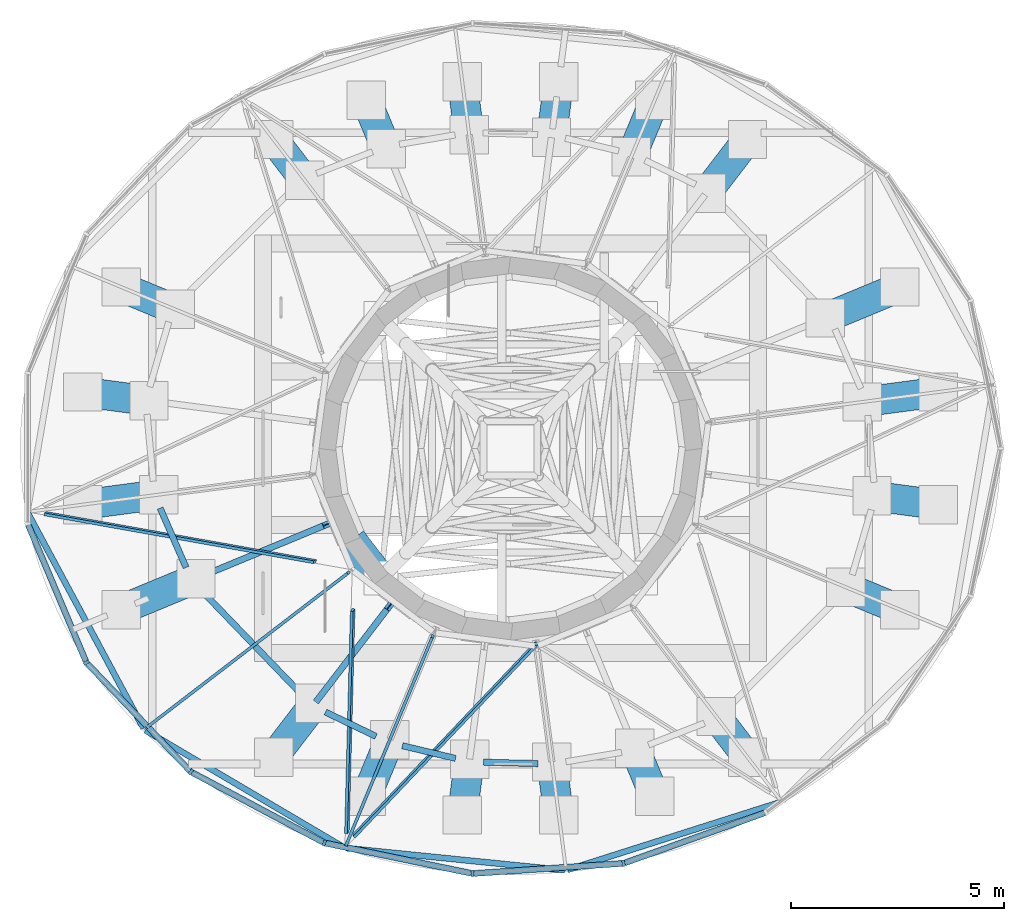
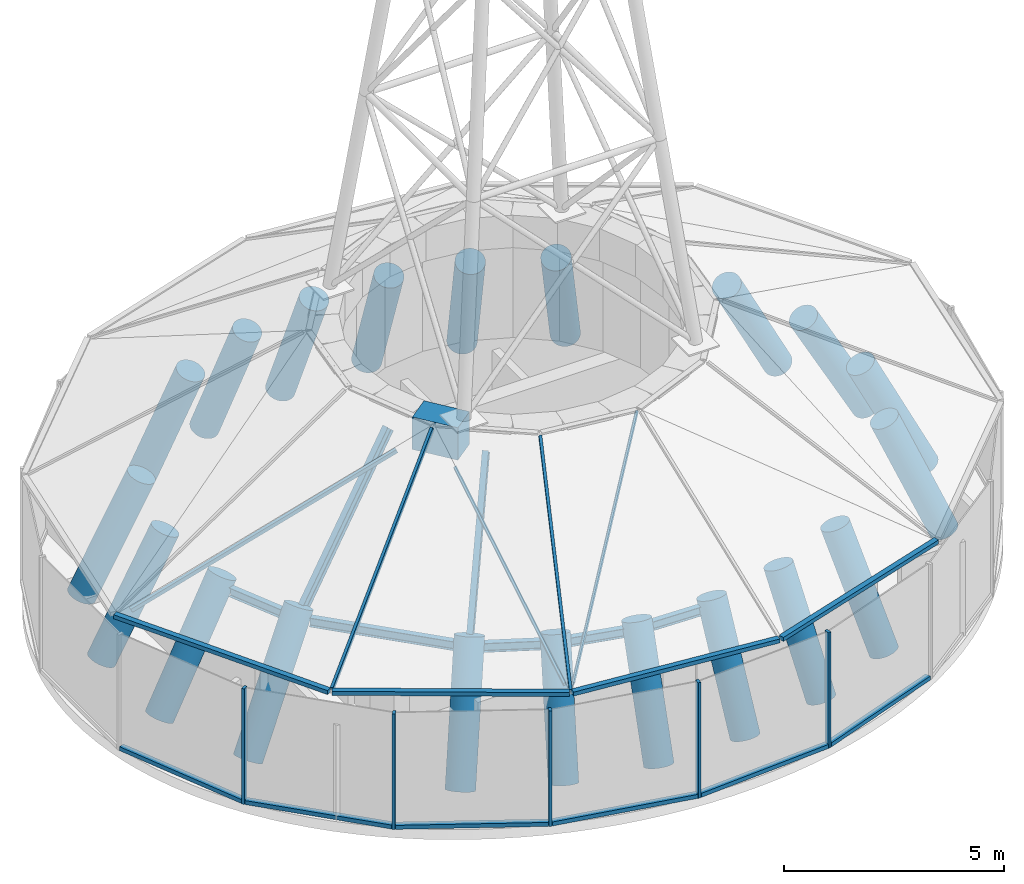
# One storey, part 1 of 10: 22 members, 20 columns, 6 beams, 8 elements without a shape of their own.
"""IFC4 building model written with IfcOpenShell, lengths in metres."""

from ifc_helpers import new_model, si_unit, direction, frame, origin, origin_2d, place, context, subcontext, project, spatial, rectangle, circle, i_section, extrude, source, transform, mapped, material, layer, layer_set, material_profile, profile_set, type_object, element, aggregate, save


model = new_model("IFC4")

# Units and contexts
model_context = context("Model", 3, precision=1e-05, world=origin(), true_north=direction((0.0, 1.0)))
body_context = subcontext(model_context, "Body", "Model", "MODEL_VIEW")
ifc_project = project(units=[si_unit("LENGTHUNIT", "METRE"), si_unit("AREAUNIT", "SQUARE_METRE"), si_unit("VOLUMEUNIT", "CUBIC_METRE"), si_unit("PLANEANGLEUNIT", "RADIAN"), si_unit("MASSUNIT", "GRAM", prefix="KILO")], contexts=[model_context])

# Site, building, storey
site_placement = place(None, origin())
site = spatial("IfcSite", under=ifc_project, at=site_placement, CompositionType="ELEMENT")
building_placement = place(site_placement, origin())
building = spatial("IfcBuilding", under=site, at=building_placement, Name="Spindrift Exchange Tower", CompositionType="ELEMENT")
storey_placement = place(building_placement, frame((0.0, 0.0, 287.10009765625)))
storey = spatial("IfcBuildingStorey", under=building, at=storey_placement, Name="L71", CompositionType="ELEMENT", Elevation=287.10009765625)

# Columns
ifc_material_1 = material(Name="Concrete 40 MPa", Category="concrete")
ifc_material_profile_1 = material_profile(ifc_material_1, circle(Radius=0.35009765625, at=origin_2d()), Name="RC D700")
ifc_profile_set_1 = profile_set([ifc_material_profile_1], Name="Concrete 40 MPa")
column_type = type_object("IfcColumnType", Name="RC Perimeter Column D700 Concrete 40 MPa", PredefinedType="COLUMN", material=ifc_profile_set_1)
shared_shape_1 = source(origin(), body_context, "Body", "SweptSolid", [
    extrude(circle(Radius=0.35009765625, at=origin_2d()), origin(), (0.0, 0.0, 1.0), 3.67041015625),
])
for number, where, z_axis, x_axis, name in (
    (1, (62.031005859375, 49.320556640625, 0.17431640625), (-0.485581289046, -0.063923783394, 0.871851226784), (0.130517750651, -0.991445972691, 0.0), "Perimeter column P6-01 L71"),
    (2, (41.968994140625, 46.679443359375, 0.17431640625), (0.485581289046, 0.063923783394, 0.871851226784), (-0.130517750651, 0.991445972691, 0.0), "Perimeter column P6-13 L71"),
):
    element("IfcColumn", number, at=place(storey_placement, frame(where, z_axis=z_axis, x_axis=x_axis)), inside=storey, type_object=column_type, Name=name, PredefinedType="COLUMN", context=body_context, shape_type="MappedRepresentation", body=[
        mapped(shared_shape_1, transform((0.0, 0.0, 0.0), scale=1.0)),
    ])
shared_shape_2 = source(origin(), body_context, "Body", "SweptSolid", [
    extrude(circle(Radius=0.35009765625, at=origin_2d()), origin(), (0.0, 0.0, 1.0), 3.720947265625),
])
for number, where, z_axis, x_axis, name in (
    (3, (61.12890625, 51.78125, 0.181396484375), (-0.471368199064, -0.19520050003, 0.860063245174), (0.38260546681, -0.923911823047, 0.0), "Perimeter column P6-02 L71"),
    (4, (42.87109375, 44.21875, 0.181396484375), (0.471368199064, 0.19520050003, 0.860063245174), (-0.38260546681, 0.923911823047, 0.0), "Perimeter column P6-14 L71"),
):
    element("IfcColumn", number, at=place(storey_placement, frame(where, z_axis=z_axis, x_axis=x_axis)), inside=storey, type_object=column_type, Name=name, PredefinedType="COLUMN", context=body_context, shape_type="MappedRepresentation", body=[
        mapped(shared_shape_2, transform((0.0, 0.0, 0.0), scale=1.0)),
    ])
shared_shape_3 = source(origin(), body_context, "Body", "SweptSolid", [
    extrude(circle(Radius=0.35009765625, at=origin_2d()), origin(), (0.0, 0.0, 1.0), 3.572998046875),
])
for number, where, z_axis, x_axis, name in (
    (5, (57.55517578125, 55.239501953125, 0.15869140625), (-0.270857062246, -0.352920465817, 0.89559119951), (0.793297249859, -0.608834520511, 0.0), "Perimeter column P6-04 L71"),
    (6, (46.44482421875, 40.760498046875, 0.15869140625), (0.270857062246, 0.352920465817, 0.89559119951), (-0.793297249859, 0.608834520511, 0.0), "Perimeter column P6-16 L71"),
):
    element("IfcColumn", number, at=place(storey_placement, frame(where, z_axis=z_axis, x_axis=x_axis)), inside=storey, type_object=column_type, Name=name, PredefinedType="COLUMN", context=body_context, shape_type="MappedRepresentation", body=[
        mapped(shared_shape_3, transform((0.0, 0.0, 0.0), scale=1.0)),
    ])
shared_shape_4 = source(origin(), body_context, "Body", "SweptSolid", [
    extrude(circle(Radius=0.35009765625, at=origin_2d()), origin(), (0.0, 0.0, 1.0), 3.505126953125),
])
for number, where, z_axis, x_axis, name in (
    (7, (55.378662109375, 56.15673828125, 0.145751953125), (-0.156165944661, -0.376971495318, 0.912964779959), (0.923862861885, -0.382723676339, 0.0), "Perimeter column P6-05 L71"),
    (8, (48.621337890625, 39.84326171875, 0.145751953125), (0.156165944661, 0.376971495318, 0.912964779959), (-0.923862861885, 0.382723676339, 0.0), "Perimeter column P6-17 L71"),
):
    element("IfcColumn", number, at=place(storey_placement, frame(where, z_axis=z_axis, x_axis=x_axis)), inside=storey, type_object=column_type, Name=name, PredefinedType="COLUMN", context=body_context, shape_type="MappedRepresentation", body=[
        mapped(shared_shape_4, transform((0.0, 0.0, 0.0), scale=1.0)),
    ])
shared_shape_5 = source(origin(), body_context, "Body", "SweptSolid", [
    extrude(circle(Radius=0.35009765625, at=origin_2d()), origin(), (0.0, 0.0, 1.0), 3.4599609375),
])
for number, where, z_axis, x_axis, name in (
    (9, (53.131591796875, 56.59619140625, 0.135986328125), (-0.049603484084, -0.377141710425, 0.924826267266), (0.991461239084, -0.130401730791, 0.0), "Perimeter column P6-06 L71"),
    (10, (50.868408203125, 39.40380859375, 0.135986328125), (0.049603484084, 0.377141710425, 0.924826267266), (-0.991461239084, 0.130401730791, 0.0), "Perimeter column P6-18 L71"),
):
    element("IfcColumn", number, at=place(storey_placement, frame(where, z_axis=z_axis, x_axis=x_axis)), inside=storey, type_object=column_type, Name=name, PredefinedType="COLUMN", context=body_context, shape_type="MappedRepresentation", body=[
        mapped(shared_shape_5, transform((0.0, 0.0, 0.0), scale=1.0)),
    ])
shared_shape_6 = source(origin(), body_context, "Body", "SweptSolid", [
    extrude(circle(Radius=0.35009765625, at=origin_2d()), origin(), (0.0, 0.0, 1.0), 3.43701171875),
])
for number, where, z_axis, x_axis, name in (
    (11, (50.868408203125, 56.59619140625, 0.130615234375), (0.047591855306, -0.361840165562, 0.931024548492), (0.991460918944, 0.130404164839, 0.0), "Perimeter column P6-07 L71"),
    (12, (53.131591796875, 39.40380859375, 0.130615234375), (-0.047591855306, 0.361840165562, 0.931024548492), (-0.991460918944, -0.130404164839, 0.0), "Perimeter column P6-19 L71"),
):
    element("IfcColumn", number, at=place(storey_placement, frame(where, z_axis=z_axis, x_axis=x_axis)), inside=storey, type_object=column_type, Name=name, PredefinedType="COLUMN", context=body_context, shape_type="MappedRepresentation", body=[
        mapped(shared_shape_6, transform((0.0, 0.0, 0.0), scale=1.0)),
    ])
shared_shape_7 = source(origin(), body_context, "Body", "SweptSolid", [
    extrude(circle(Radius=0.35009765625, at=origin_2d()), origin(), (0.0, 0.0, 1.0), 3.42578125),
])
for number, where, z_axis, x_axis, name in (
    (13, (48.621337890625, 56.15673828125, 0.127685546875), (0.136544060372, -0.329743928676, 0.934143811775), (0.923919496495, 0.382586936521, 0.0), "Perimeter column P6-08 L71"),
    (14, (55.378662109375, 39.84326171875, 0.127685546875), (-0.136544060372, 0.329743928676, 0.934143811775), (-0.923919496495, -0.382586936521, 0.0), "Perimeter column P6-20 L71"),
):
    element("IfcColumn", number, at=place(storey_placement, frame(where, z_axis=z_axis, x_axis=x_axis)), inside=storey, type_object=column_type, Name=name, PredefinedType="COLUMN", context=body_context, shape_type="MappedRepresentation", body=[
        mapped(shared_shape_7, transform((0.0, 0.0, 0.0), scale=1.0)),
    ])
shared_shape_8 = source(origin(), body_context, "Body", "SweptSolid", [
    extrude(circle(Radius=0.35009765625, at=origin_2d()), origin(), (0.0, 0.0, 1.0), 3.418212890625),
])
for number, where, z_axis, x_axis, name in (
    (15, (46.44482421875, 55.239501953125, 0.1259765625), (0.214058059643, -0.278911152121, 0.9361558184), (0.793295635134, 0.608836624455, 0.0), "Perimeter column P6-09 L71"),
    (16, (57.55517578125, 40.760498046875, 0.1259765625), (-0.214058059643, 0.278911152121, 0.9361558184), (-0.793295635134, -0.608836624455, 0.0), "Perimeter column P6-21 L71"),
):
    element("IfcColumn", number, at=place(storey_placement, frame(where, z_axis=z_axis, x_axis=x_axis)), inside=storey, type_object=column_type, Name=name, PredefinedType="COLUMN", context=body_context, shape_type="MappedRepresentation", body=[
        mapped(shared_shape_8, transform((0.0, 0.0, 0.0), scale=1.0)),
    ])
shared_shape_9 = source(origin(), body_context, "Body", "SweptSolid", [
    extrude(circle(Radius=0.35009765625, at=origin_2d()), origin(), (0.0, 0.0, 1.0), 3.481201171875),
])
for number, where, z_axis, x_axis, name in (
    (17, (42.87109375, 51.78125, 0.140625), (0.363634980693, -0.150573636171, 0.919291673467), (0.382577370091, 0.923923457811, 0.0), "Perimeter column P6-11 L71"),
    (18, (61.12890625, 44.21875, 0.140625), (-0.363634980693, 0.150573636171, 0.919291673467), (-0.382577370091, -0.923923457811, 0.0), "Perimeter column P6-23 L71"),
):
    element("IfcColumn", number, at=place(storey_placement, frame(where, z_axis=z_axis, x_axis=x_axis)), inside=storey, type_object=column_type, Name=name, PredefinedType="COLUMN", context=body_context, shape_type="MappedRepresentation", body=[
        mapped(shared_shape_9, transform((0.0, 0.0, 0.0), scale=1.0)),
    ])
shared_shape_10 = source(origin(), body_context, "Body", "SweptSolid", [
    extrude(circle(Radius=0.35009765625, at=origin_2d()), origin(), (0.0, 0.0, 1.0), 3.56396484375),
])
for number, where, z_axis, x_axis, name in (
    (19, (41.968994140625, 49.320556640625, 0.156982421875), (0.436555493474, -0.057472157387, 0.897839769805), (0.130522924776, 0.991445291535, 0.0), "Perimeter column P6-12 L71"),
    (20, (62.031005859375, 46.679443359375, 0.156982421875), (-0.436555493474, 0.057472157387, 0.897839769805), (-0.130522924776, -0.991445291535, 0.0), "Perimeter column P6-24 L71"),
):
    element("IfcColumn", number, at=place(storey_placement, frame(where, z_axis=z_axis, x_axis=x_axis)), inside=storey, type_object=column_type, Name=name, PredefinedType="COLUMN", context=body_context, shape_type="MappedRepresentation", body=[
        mapped(shared_shape_10, transform((0.0, 0.0, 0.0), scale=1.0)),
    ])

# Beams
ifc_material_2 = material(Name="Steel Grade 300", Category="steel")
ifc_material_profile_2 = material_profile(ifc_material_2, i_section(OverallWidth=0.14599609375, OverallDepth=0.251953125, WebThickness=0.006103515625, FlangeThickness=0.008544921875, FilletRadius=0.011962890625, at=origin_2d()), Name="250UB31.4")
ifc_profile_set_2 = profile_set([ifc_material_profile_2], Name="Steel Grade 300")
beam_type_1 = type_object("IfcBeamType", Name="Edge Beam 250UB31.4 Steel Grade 300", PredefinedType="SPANDREL", material=ifc_profile_set_2)
shared_shape_11 = source(origin(), body_context, "Body", "SweptSolid", [
    extrude(i_section(OverallWidth=0.14599609375, OverallDepth=0.251953125, WebThickness=0.006103515625, FlangeThickness=0.008544921875, FilletRadius=0.011962890625, at=origin_2d()), origin(), (0.0, 0.0, 1.0), 1.51904296875),
])
beam_1_placement = place(storey_placement, frame((43.785888671875, 46.5986328125, 3.073974609375), z_axis=(0.399865903217, -0.916573651948, 0.0), x_axis=(0.916573651948, 0.399865903217, 0.0)))
element("IfcBeam", 21, at=beam_1_placement, inside=storey, type_object=beam_type_1, Name="L71 edge beam E13", PredefinedType="SPANDREL", context=body_context, shape_type="MappedRepresentation", body=[
    mapped(shared_shape_11, transform((0.0, 0.0, 0.0), scale=1.0)),
])
shared_shape_12 = source(origin(), body_context, "Body", "SweptSolid", [
    extrude(i_section(OverallWidth=0.14599609375, OverallDepth=0.251953125, WebThickness=0.006103515625, FlangeThickness=0.008544921875, FilletRadius=0.011962890625, at=origin_2d()), origin(), (0.0, 0.0, 1.0), 3.4306640625),
])
beam_2_placement = place(storey_placement, frame((44.75439453125, 44.666259765625, 3.073974609375), z_axis=(0.69407235193, -0.719905250909, 0.0), x_axis=(0.719905250909, 0.69407235193, 0.0)))
element("IfcBeam", 22, at=beam_2_placement, inside=storey, type_object=beam_type_1, Name="L71 edge beam E14", PredefinedType="SPANDREL", context=body_context, shape_type="MappedRepresentation", body=[
    mapped(shared_shape_12, transform((0.0, 0.0, 0.0), scale=1.0)),
])
shared_shape_13 = source(origin(), body_context, "Body", "SweptSolid", [
    extrude(i_section(OverallWidth=0.14599609375, OverallDepth=0.251953125, WebThickness=0.006103515625, FlangeThickness=0.008544921875, FilletRadius=0.011962890625, at=origin_2d()), origin(), (0.0, 0.0, 1.0), 1.313720703125),
])
beam_3_placement = place(storey_placement, frame((47.662109375, 41.816162109375, 3.073974609375), z_axis=(0.901377999465, -0.433033142011, 0.0), x_axis=(0.433033142011, 0.901377999465, 0.0)))
element("IfcBeam", 23, at=beam_3_placement, inside=storey, type_object=beam_type_1, Name="L71 edge beam E16", PredefinedType="SPANDREL", context=body_context, shape_type="MappedRepresentation", body=[
    mapped(shared_shape_13, transform((0.0, 0.0, 0.0), scale=1.0)),
])
shared_shape_14 = source(origin(), body_context, "Body", "SweptSolid", [
    extrude(i_section(OverallWidth=0.14599609375, OverallDepth=0.251953125, WebThickness=0.006103515625, FlangeThickness=0.008544921875, FilletRadius=0.011962890625, at=origin_2d()), origin(), (0.0, 0.0, 1.0), 1.282470703125),
])
beam_4_placement = place(storey_placement, frame((49.464599609375, 41.027587890625, 3.073974609375), z_axis=(0.972652798876, -0.232263929268, 0.0), x_axis=(0.232263929268, 0.972652798876, 0.0)))
element("IfcBeam", 24, at=beam_4_placement, inside=storey, type_object=beam_type_1, Name="L71 edge beam E17", PredefinedType="SPANDREL", context=body_context, shape_type="MappedRepresentation", body=[
    mapped(shared_shape_14, transform((0.0, 0.0, 0.0), scale=1.0)),
])
shared_shape_15 = source(origin(), body_context, "Body", "SweptSolid", [
    extrude(i_section(OverallWidth=0.14599609375, OverallDepth=0.251953125, WebThickness=0.006103515625, FlangeThickness=0.008544921875, FilletRadius=0.011962890625, at=origin_2d()), origin(), (0.0, 0.0, 1.0), 1.28271484375),
])
beam_5_placement = place(storey_placement, frame((51.362548828125, 40.6435546875, 3.073974609375), z_axis=(0.999575940192, -0.029119405722, 0.0), x_axis=(0.029119405722, 0.999575940192, 0.0)))
element("IfcBeam", 25, at=beam_5_placement, inside=storey, type_object=beam_type_1, Name="L71 edge beam E18", PredefinedType="SPANDREL", context=body_context, shape_type="MappedRepresentation", body=[
    mapped(shared_shape_15, transform((0.0, 0.0, 0.0), scale=1.0)),
])
ifc_material_3 = material(Name="Concrete 50 MPa", Category="concrete")
ifc_material_profile_3 = material_profile(ifc_material_3, rectangle(XDim=0.699951171875, YDim=0.89990234375, at=origin_2d()), Name="RC 700x900")
ifc_profile_set_3 = profile_set([ifc_material_profile_3], Name="Concrete 50 MPa")
beam_type_2 = type_object("IfcBeamType", Name="RC Ring Beam 700x900 Concrete 50 MPa", PredefinedType="BEAM", material=ifc_profile_set_3)
shared_shape_16 = source(origin(), body_context, "Body", "SweptSolid", [
    extrude(rectangle(XDim=0.699951171875, YDim=0.89990234375, at=origin_2d()), origin(), (0.0, 0.0, 1.0), 1.12255859375),
])
beam_6_placement = place(storey_placement, frame((48.276123046875, 45.85009765625, 6.5498046875), z_axis=(0.608732839803, -0.793375276742, 0.0), x_axis=(0.793375276742, 0.608732839803, 0.0)))
element("IfcBeam", 26, at=beam_6_placement, inside=storey, type_object=beam_type_2, Name="Plant drum ring beam 15", PredefinedType="BEAM", context=body_context, shape_type="MappedRepresentation", body=[
    mapped(shared_shape_16, transform((0.0, 0.0, 0.0), scale=1.0)),
])

# Members
ifc_material_profile_4 = material_profile(ifc_material_2, i_section(OverallWidth=0.14892578125, OverallDepth=0.298095703125, WebThickness=0.005615234375, FlangeThickness=0.008056640625, FilletRadius=0.012939453125, at=origin_2d()), Name="310UB32.0")
ifc_profile_set_4 = profile_set([ifc_material_profile_4], Name="Steel Grade 300")
member_type_1 = type_object("IfcMemberType", Name="Crown Rafter 310UB32.0 Steel Grade 300", PredefinedType="RAFTER", material=ifc_profile_set_4)
shared_shape_17 = source(origin(), body_context, "Body", "SweptSolid", [
    extrude(i_section(OverallWidth=0.14892578125, OverallDepth=0.298095703125, WebThickness=0.005615234375, FlangeThickness=0.008056640625, FilletRadius=0.012939453125, at=origin_2d()), origin(), (0.0, 0.0, 1.0), 4.49365234375),
])
member_1_placement = place(storey_placement, frame((44.789306640625, 45.01318359375, 3.25), z_axis=(0.64864205002, 0.268660267807, 0.712099116309), x_axis=(-0.382663899488, 0.923887623052, 0.0)))
element("IfcMember", 27, at=member_1_placement, inside=storey, type_object=member_type_1, Name="Crown rafter 14", PredefinedType="RAFTER", context=body_context, shape_type="MappedRepresentation", body=[
    mapped(shared_shape_17, transform((0.0, 0.0, 0.0), scale=1.0)),
])
shared_shape_18 = source(origin(), body_context, "Body", "SweptSolid", [
    extrude(i_section(OverallWidth=0.14892578125, OverallDepth=0.298095703125, WebThickness=0.005615234375, FlangeThickness=0.008056640625, FilletRadius=0.012939453125, at=origin_2d()), origin(), (0.0, 0.0, 1.0), 4.21044921875),
])
member_2_placement = place(storey_placement, frame((47.50341796875, 42.139892578125, 3.25), z_axis=(0.395634671988, 0.515606551856, 0.760015190641), x_axis=(-0.793356424583, 0.608757409461, 0.0)))
element("IfcMember", 28, at=member_2_placement, inside=storey, type_object=member_type_1, Name="Crown rafter 16", PredefinedType="RAFTER", context=body_context, shape_type="MappedRepresentation", body=[
    mapped(shared_shape_18, transform((0.0, 0.0, 0.0), scale=1.0)),
])

# Curtain wall, member
ifc_material_4 = material(Name="Fritted laminated glass with bronze frame", Category="glass")
ifc_layer = layer(ifc_material_4, 0.139892578125)
ifc_layer_set = layer_set([ifc_layer], Name="CROWN BRONZE HOOD GLAZED ROOF")
curtain_wall_type = type_object("IfcCurtainWallType", Name="CROWN BRONZE HOOD GLAZED ROOF", PredefinedType="NOTDEFINED", material=ifc_layer_set)
curtain_wall_1_placement = place(storey_placement, origin())
curtain_wall_1 = element("IfcCurtainWall", 29, at=curtain_wall_1_placement, inside=storey, type_object=curtain_wall_type, Name="L71 Crown Bronze Hood Glazed Roof run 2", PredefinedType="NOTDEFINED")
ifc_material_5 = material(Name="Bronze anodised aluminium", Category="aluminium")
ifc_material_profile_5 = material_profile(ifc_material_5, rectangle(XDim=0.070068359375, YDim=0.139892578125, at=origin_2d()), Name="CROWN BRONZE HOOD GLAZED ROOF MULLION 70X140")
ifc_profile_set_5 = profile_set([ifc_material_profile_5], Name="Bronze anodised aluminium")
member_type_2 = type_object("IfcMemberType", Name="CROWN BRONZE HOOD GLAZED ROOF MULLION 70X140", PredefinedType="MULLION", material=ifc_profile_set_5)
shared_shape_19 = source(origin(), body_context, "Body", "SweptSolid", [
    extrude(rectangle(XDim=0.070068359375, YDim=0.139892578125, at=origin_2d()), origin(), (0.0, 0.0, 1.0), 3.199951171875),
])
member_3_placement = place(storey_placement, frame((42.057861328125, 42.974365234375, 0.0), z_axis=(0.0, 0.0, 1.0), x_axis=(0.549266674057, -0.835647126944, 0.0)))
member_3 = element("IfcMember", 30, at=member_3_placement, type_object=member_type_2, Name="L71 mullion CW-H.12", PredefinedType="MULLION", context=body_context, shape_type="MappedRepresentation", body=[
    mapped(shared_shape_19, transform((0.0, 0.0, 0.0), scale=1.0)),
])

# Curtain wall, members
curtain_wall_2_placement = place(storey_placement, origin())
curtain_wall_2 = element("IfcCurtainWall", 31, at=curtain_wall_2_placement, inside=storey, type_object=curtain_wall_type, Name="L71 Crown Bronze Hood Glazed Roof run 3", PredefinedType="NOTDEFINED")
member_4_placement = place(storey_placement, frame((44.506103515625, 40.414794921875, 0.0), z_axis=(0.0, 0.0, 1.0), x_axis=(0.797007145655, -0.60396987489, 0.0)))
member_4 = element("IfcMember", 32, at=member_4_placement, type_object=member_type_2, Name="L71 mullion CW-H.13", PredefinedType="MULLION", context=body_context, shape_type="MappedRepresentation", body=[
    mapped(shared_shape_19, transform((0.0, 0.0, 0.0), scale=1.0)),
])
member_5_placement = place(storey_placement, frame((47.63623046875, 38.747802734375, 0.0), z_axis=(0.0, 0.0, 1.0), x_axis=(0.940549893905, -0.339655556519, 0.0)))
member_5 = element("IfcMember", 33, at=member_5_placement, type_object=member_type_2, Name="L71 mullion CW-H.14", PredefinedType="MULLION", context=body_context, shape_type="MappedRepresentation", body=[
    mapped(shared_shape_19, transform((0.0, 0.0, 0.0), scale=1.0)),
])
member_6_placement = place(storey_placement, frame((51.11083984375, 38.02978515625, 0.0), z_axis=(0.0, 0.0, 1.0), x_axis=(0.997681086513, -0.068062101154, 0.0)))
member_6 = element("IfcMember", 34, at=member_6_placement, type_object=member_type_2, Name="L71 mullion CW-H.15", PredefinedType="MULLION", context=body_context, shape_type="MappedRepresentation", body=[
    mapped(shared_shape_19, transform((0.0, 0.0, 0.0), scale=1.0)),
])
member_7_placement = place(storey_placement, frame((54.651123046875, 38.269287109375, 0.0), z_axis=(0.0, 0.0, 1.0), x_axis=(0.978947742164, 0.20411104358, 0.0)))
member_7 = element("IfcMember", 35, at=member_7_placement, type_object=member_type_2, Name="L71 mullion CW-H.16", PredefinedType="MULLION", context=body_context, shape_type="MappedRepresentation", body=[
    mapped(shared_shape_19, transform((0.0, 0.0, 0.0), scale=1.0)),
])
ifc_material_profile_6 = material_profile(ifc_material_5, rectangle(XDim=0.139892578125, YDim=0.110107421875, at=origin_2d()), Name="CROWN BRONZE HOOD GLAZED ROOF TRANSOM 140X110")
ifc_profile_set_6 = profile_set([ifc_material_profile_6], Name="Bronze anodised aluminium")
member_type_3 = type_object("IfcMemberType", Name="CROWN BRONZE HOOD GLAZED ROOF TRANSOM 140X110", PredefinedType="USERDEFINED", material=ifc_profile_set_6)
shared_shape_20 = source(origin(), body_context, "Body", "SweptSolid", [
    extrude(rectangle(XDim=0.139892578125, YDim=0.110107421875, at=origin_2d()), origin(), (0.0, 0.0, 1.0), 3.477294921875),
])
member_8_placement = place(storey_placement, frame((54.68408203125, 38.28125, 0.054931640625), z_axis=(0.941578190044, 0.336794465561, 0.0), x_axis=(-0.336794465561, 0.941578190044, 0.0)))
member_8 = element("IfcMember", 36, at=member_8_placement, type_object=member_type_3, Name="L71 transom CW-H.16", ObjectType="TRANSOM", PredefinedType="USERDEFINED", context=body_context, shape_type="MappedRepresentation", body=[
    mapped(shared_shape_20, transform((0.0, 0.0, 0.0), scale=1.0)),
])
shared_shape_21 = source(origin(), body_context, "Body", "SweptSolid", [
    extrude(rectangle(XDim=0.139892578125, YDim=0.110107421875, at=origin_2d()), origin(), (0.0, 0.0, 1.0), 3.478515625),
])
member_9_placement = place(storey_placement, frame((51.145751953125, 38.0322265625, 0.054931640625), z_axis=(0.997717883704, 0.067520549006, 0.0), x_axis=(-0.067520549006, 0.997717883704, 0.0)))
member_9 = element("IfcMember", 37, at=member_9_placement, type_object=member_type_3, Name="L71 transom CW-H.15", ObjectType="TRANSOM", PredefinedType="USERDEFINED", context=body_context, shape_type="MappedRepresentation", body=[
    mapped(shared_shape_21, transform((0.0, 0.0, 0.0), scale=1.0)),
])
shared_shape_22 = source(origin(), body_context, "Body", "SweptSolid", [
    extrude(rectangle(XDim=0.139892578125, YDim=0.110107421875, at=origin_2d()), origin(), (0.0, 0.0, 1.0), 3.47802734375),
])
member_10_placement = place(storey_placement, frame((47.67041015625, 38.74072265625, 0.054931640625), z_axis=(0.979307937099, -0.202375799775, 0.0), x_axis=(0.202375799775, 0.979307937099, 0.0)))
member_10 = element("IfcMember", 38, at=member_10_placement, type_object=member_type_3, Name="L71 transom CW-H.14", ObjectType="TRANSOM", PredefinedType="USERDEFINED", context=body_context, shape_type="MappedRepresentation", body=[
    mapped(shared_shape_22, transform((0.0, 0.0, 0.0), scale=1.0)),
])
shared_shape_23 = source(origin(), body_context, "Body", "SweptSolid", [
    extrude(rectangle(XDim=0.139892578125, YDim=0.110107421875, at=origin_2d()), origin(), (0.0, 0.0, 1.0), 3.47607421875),
])
member_11_placement = place(storey_placement, frame((44.537109375, 40.398193359375, 0.054931640625), z_axis=(0.88265606086, -0.47001944452, 0.0), x_axis=(0.47001944452, 0.88265606086, 0.0)))
member_11 = element("IfcMember", 39, at=member_11_placement, type_object=member_type_3, Name="L71 transom CW-H.13", ObjectType="TRANSOM", PredefinedType="USERDEFINED", context=body_context, shape_type="MappedRepresentation", body=[
    mapped(shared_shape_23, transform((0.0, 0.0, 0.0), scale=1.0)),
])
aggregate(curtain_wall_2, [member_4, member_11, member_5, member_10, member_6, member_9, member_7, member_8])

# Member
shared_shape_24 = source(origin(), body_context, "Body", "SweptSolid", [
    extrude(rectangle(XDim=0.139892578125, YDim=0.110107421875, at=origin_2d()), origin(), (0.0, 0.0, 1.0), 3.47216796875),
])
member_12_placement = place(storey_placement, frame((42.08203125, 42.94921875, 0.054931640625), z_axis=(0.691181136991, -0.722681559104, 0.0), x_axis=(0.722681559104, 0.691181136991, 0.0)))
member_12 = element("IfcMember", 40, at=member_12_placement, type_object=member_type_3, Name="L71 transom CW-H.12", ObjectType="TRANSOM", PredefinedType="USERDEFINED", context=body_context, shape_type="MappedRepresentation", body=[
    mapped(shared_shape_24, transform((0.0, 0.0, 0.0), scale=1.0)),
])

shared_shape_25 = source(origin(), body_context, "Body", "SweptSolid", [
    extrude(rectangle(XDim=0.139892578125, YDim=0.110107421875, at=origin_2d()), origin(), (0.0, 0.0, 1.0), 3.46728515625),
])
member_13_placement = place(storey_placement, frame((40.694580078125, 46.200439453125, 0.054931640625), z_axis=(0.389240272679, -0.921136260346, 0.0), x_axis=(0.921136260346, 0.389240272679, 0.0)))
member_13 = element("IfcMember", 41, at=member_13_placement, type_object=member_type_3, Name="L71 transom CW-H.11", ObjectType="TRANSOM", PredefinedType="USERDEFINED", context=body_context, shape_type="MappedRepresentation", body=[
    mapped(shared_shape_25, transform((0.0, 0.0, 0.0), scale=1.0)),
])

aggregate(curtain_wall_1, [member_13, member_3, member_12])

# Curtain wall, members
curtain_wall_3_placement = place(storey_placement, origin())
curtain_wall_3 = element("IfcCurtainWall", 42, at=curtain_wall_3_placement, inside=storey, type_object=curtain_wall_type, Name="L71 Crown Bronze Hood Glazed Roof facet 13", PredefinedType="NOTDEFINED")
shared_shape_26 = source(origin(), body_context, "Body", "SweptSolid", [
    extrude(rectangle(XDim=0.139892578125, YDim=0.110107421875, at=origin_2d()), origin(), (0.0, 0.0, 1.0), 5.7197265625),
])
member_14_placement = place(storey_placement, frame((40.685791015625, 46.4775390625, 3.554931640625), z_axis=(0.473229088168, -0.880939402066, 0.0), x_axis=(0.880939402066, 0.473229088168, 0.0)))
member_14 = element("IfcMember", 43, at=member_14_placement, type_object=member_type_3, Name="L71 transom CW-H.7a", ObjectType="TRANSOM", PredefinedType="USERDEFINED", context=body_context, shape_type="MappedRepresentation", body=[
    mapped(shared_shape_26, transform((0.0, 0.0, 0.0), scale=1.0)),
])
shared_shape_27 = source(origin(), body_context, "Body", "SweptSolid", [
    extrude(rectangle(XDim=0.070068359375, YDim=0.139892578125, at=origin_2d()), origin(), (0.0, 0.0, 1.0), 7.041748046875),
])
member_15_placement = place(storey_placement, frame((41.098388671875, 46.467529296875, 3.563720703125), z_axis=(0.897031477919, -0.159727283994, 0.41209431247), x_axis=(0.053572906852, 0.964831511166, 0.257352090943)))
member_15 = element("IfcMember", 44, at=member_15_placement, type_object=member_type_2, Name="L71 glazing bar CW-H.7", PredefinedType="MULLION", context=body_context, shape_type="MappedRepresentation", body=[
    mapped(shared_shape_27, transform((0.0, 0.0, 0.0), scale=1.0)),
])
aggregate(curtain_wall_3, [member_14, member_15])

curtain_wall_4_placement = place(storey_placement, origin())
curtain_wall_4 = element("IfcCurtainWall", 45, at=curtain_wall_4_placement, inside=storey, type_object=curtain_wall_type, Name="L71 Crown Bronze Hood Glazed Roof facet 15", PredefinedType="NOTDEFINED")
shared_shape_28 = source(origin(), body_context, "Body", "SweptSolid", [
    extrude(rectangle(XDim=0.139892578125, YDim=0.110107421875, at=origin_2d()), origin(), (0.0, 0.0, 1.0), 5.398193359375),
])
member_16_placement = place(storey_placement, frame((48.088134765625, 38.646484375, 3.554931640625), z_axis=(-0.861205515518, 0.508256883909, 0.0), x_axis=(-0.508256883909, -0.861205515518, 0.0)))
member_16 = element("IfcMember", 46, at=member_16_placement, type_object=member_type_3, Name="L71 transom CW-H.8a", ObjectType="TRANSOM", PredefinedType="USERDEFINED", context=body_context, shape_type="MappedRepresentation", body=[
    mapped(shared_shape_28, transform((0.0, 0.0, 0.0), scale=1.0)),
])
shared_shape_29 = source(origin(), body_context, "Body", "SweptSolid", [
    extrude(rectangle(XDim=0.070068359375, YDim=0.139892578125, at=origin_2d()), origin(), (0.0, 0.0, 1.0), 6.830078125),
])
member_17_placement = place(storey_placement, frame((43.493896484375, 41.47314453125, 3.560791015625), z_axis=(0.689516342201, 0.529058132759, 0.494635932783), x_axis=(-0.608742334892, 0.793367991357, 0.0)))
member_17 = element("IfcMember", 47, at=member_17_placement, type_object=member_type_2, Name="L71 mullion CW-H.8", PredefinedType="MULLION", context=body_context, shape_type="MappedRepresentation", body=[
    mapped(shared_shape_29, transform((0.0, 0.0, 0.0), scale=1.0)),
])
aggregate(curtain_wall_4, [member_16, member_17])

# Curtain wall, member
curtain_wall_5_placement = place(storey_placement, origin())
curtain_wall_5 = element("IfcCurtainWall", 48, at=curtain_wall_5_placement, inside=storey, type_object=curtain_wall_type, Name="L71 Crown Bronze Hood Glazed Roof facet 16", PredefinedType="NOTDEFINED")
shared_shape_30 = source(origin(), body_context, "Body", "SweptSolid", [
    extrude(rectangle(XDim=0.070068359375, YDim=0.139892578125, at=origin_2d()), origin(), (0.0, 0.0, 1.0), 5.921630859375),
])
member_18_placement = place(storey_placement, frame((48.163818359375, 38.99365234375, 3.5615234375), z_axis=(0.022923127633, 0.880932496633, 0.472686435807), x_axis=(-0.953245708822, 0.161767137037, -0.255252839333)))
member_18 = element("IfcMember", 49, at=member_18_placement, type_object=member_type_2, Name="L71 glazing bar CW-H.8", PredefinedType="MULLION", context=body_context, shape_type="MappedRepresentation", body=[
    mapped(shared_shape_30, transform((0.0, 0.0, 0.0), scale=1.0)),
])
aggregate(curtain_wall_5, [member_18])

curtain_wall_6_placement = place(storey_placement, origin())
curtain_wall_6 = element("IfcCurtainWall", 50, at=curtain_wall_6_placement, inside=storey, type_object=curtain_wall_type, Name="L71 Crown Bronze Hood Glazed Roof facet 17", PredefinedType="NOTDEFINED")
shared_shape_31 = source(origin(), body_context, "Body", "SweptSolid", [
    extrude(rectangle(XDim=0.139892578125, YDim=0.110107421875, at=origin_2d()), origin(), (0.0, 0.0, 1.0), 5.14111328125),
])
member_19_placement = place(storey_placement, frame((48.153076171875, 38.625244140625, 3.554931640625), z_axis=(0.994928935998, -0.100580377378, 0.0), x_axis=(0.100580377378, 0.994928935998, 0.0)))
member_19 = element("IfcMember", 51, at=member_19_placement, type_object=member_type_3, Name="L71 transom CW-H.9a", ObjectType="TRANSOM", PredefinedType="USERDEFINED", context=body_context, shape_type="MappedRepresentation", body=[
    mapped(shared_shape_31, transform((0.0, 0.0, 0.0), scale=1.0)),
])

curtain_wall_7_placement = place(storey_placement, origin())
curtain_wall_7 = element("IfcCurtainWall", 52, at=curtain_wall_7_placement, inside=storey, type_object=curtain_wall_type, Name="L71 Crown Bronze Hood Glazed Roof facet 18", PredefinedType="NOTDEFINED")
shared_shape_32 = source(origin(), body_context, "Body", "SweptSolid", [
    extrude(rectangle(XDim=0.070068359375, YDim=0.139892578125, at=origin_2d()), origin(), (0.0, 0.0, 1.0), 6.270751953125),
])
member_20_placement = place(storey_placement, frame((48.153564453125, 38.7138671875, 3.558837890625), z_axis=(0.322256339927, 0.777978275272, 0.539352069229), x_axis=(-0.923876514937, 0.382690717352, 0.0)))
member_20 = element("IfcMember", 53, at=member_20_placement, type_object=member_type_2, Name="L71 mullion CW-H.9", PredefinedType="MULLION", context=body_context, shape_type="MappedRepresentation", body=[
    mapped(shared_shape_32, transform((0.0, 0.0, 0.0), scale=1.0)),
])
aggregate(curtain_wall_7, [member_20])

# Member
shared_shape_33 = source(origin(), body_context, "Body", "SweptSolid", [
    extrude(rectangle(XDim=0.070068359375, YDim=0.139892578125, at=origin_2d()), origin(), (0.0, 0.0, 1.0), 7.032958984375),
])
member_21_placement = place(storey_placement, frame((48.337646484375, 38.920166015625, 3.5615234375), z_axis=(0.606696513428, 0.639119385977, 0.47270048769), x_axis=(-0.792327554447, 0.534289413508, 0.294536702429)))
member_21 = element("IfcMember", 54, at=member_21_placement, type_object=member_type_2, Name="L71 glazing bar CW-H.9", PredefinedType="MULLION", context=body_context, shape_type="MappedRepresentation", body=[
    mapped(shared_shape_33, transform((0.0, 0.0, 0.0), scale=1.0)),
])

aggregate(curtain_wall_6, [member_19, member_21])

# Curtain wall, member
curtain_wall_8_placement = place(storey_placement, origin())
curtain_wall_8 = element("IfcCurtainWall", 55, at=curtain_wall_8_placement, inside=storey, type_object=curtain_wall_type, Name="L71 Crown Bronze Hood Glazed Roof facet 19", PredefinedType="NOTDEFINED")
shared_shape_34 = source(origin(), body_context, "Body", "SweptSolid", [
    extrude(rectangle(XDim=0.139892578125, YDim=0.110107421875, at=origin_2d()), origin(), (0.0, 0.0, 1.0), 5.2353515625),
])
member_22_placement = place(storey_placement, frame((58.324951171875, 39.702880859375, 3.554931640625), z_axis=(-0.952908629966, -0.303257552152, 0.0), x_axis=(0.303257552152, -0.952908629966, 0.0)))
member_22 = element("IfcMember", 56, at=member_22_placement, type_object=member_type_3, Name="L71 transom CW-H.10a", ObjectType="TRANSOM", PredefinedType="USERDEFINED", context=body_context, shape_type="MappedRepresentation", body=[
    mapped(shared_shape_34, transform((0.0, 0.0, 0.0), scale=1.0)),
])
aggregate(curtain_wall_8, [member_22])

save(model, "model.ifc")
